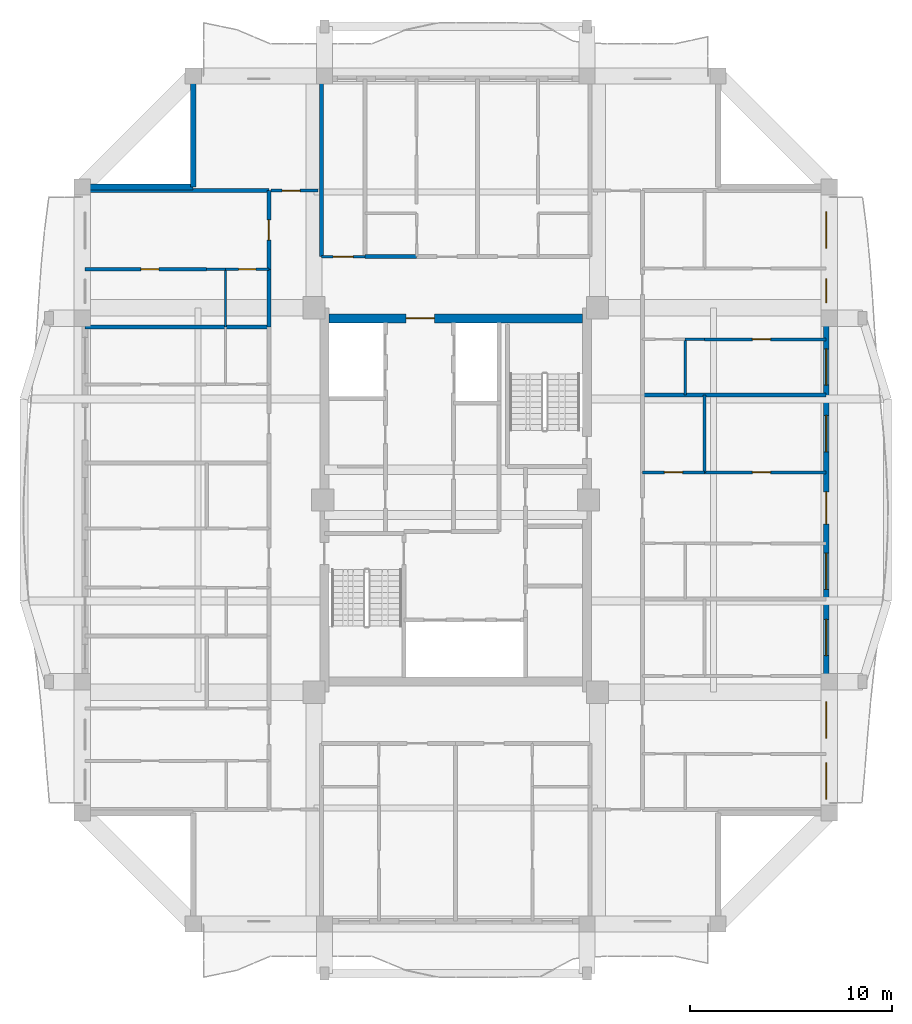
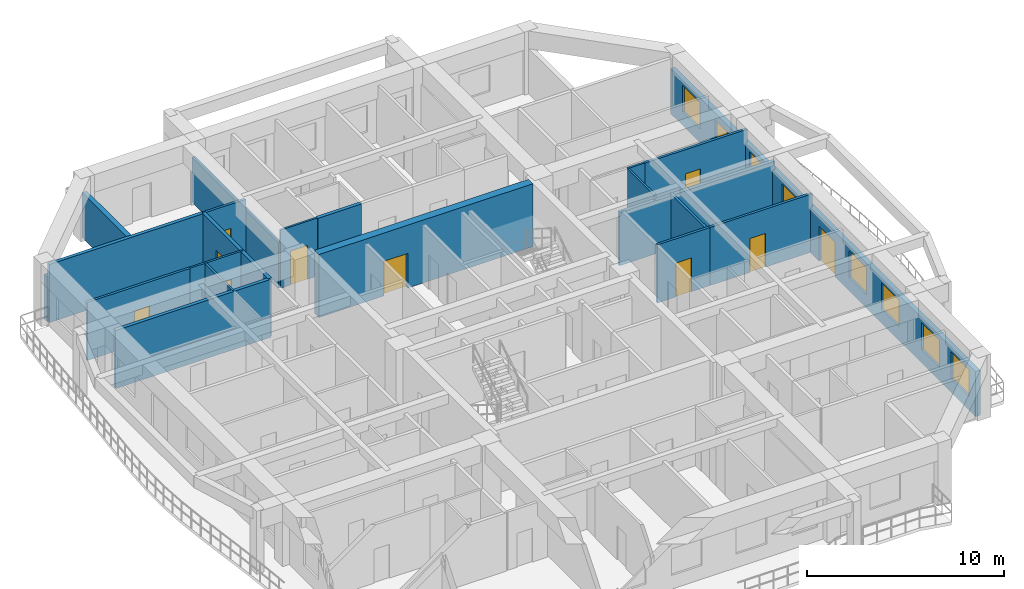
# One storey, part 6 of 14: 23 walls, 10 doors, 8 windows, 18 openings.
"""IFC4 building model written with IfcOpenShell, lengths in metres."""

from ifc_helpers import new_model, si_unit, direction, frame, frame_2d, origin, place, context, subcontext, project, spatial, rectangle, extrude, source, transform, mapped, material, layer, layer_set, type_object, element, fill, save


model = new_model("IFC4")

# Units and contexts
model_context = context("Model", 3, precision=1e-05, world=origin(), true_north=direction((0.0, 1.0)))
body_context = subcontext(model_context, "Body", "Model", "MODEL_VIEW")
ifc_project = project(units=[si_unit("LENGTHUNIT", "METRE"), si_unit("AREAUNIT", "SQUARE_METRE"), si_unit("VOLUMEUNIT", "CUBIC_METRE"), si_unit("PLANEANGLEUNIT", "RADIAN"), si_unit("MASSUNIT", "GRAM", prefix="KILO")], contexts=[model_context])

# Site, building, storey
site_placement = place(None, origin())
site = spatial("IfcSite", under=ifc_project, at=site_placement, CompositionType="ELEMENT")
building_placement = place(site_placement, origin())
building = spatial("IfcBuilding", under=site, at=building_placement, Name="Saelheon Loggia Tower", CompositionType="ELEMENT")
storey_placement = place(building_placement, frame((0.0, 0.0, 202.60009765625)))
storey = spatial("IfcBuildingStorey", under=building, at=storey_placement, Name="L63", CompositionType="ELEMENT", Elevation=202.60009765625)

# Wall, opening, door
ifc_material_1 = material(Name="Concrete C45/55", Category="concrete")
ifc_layer_1 = layer(ifc_material_1, 0.449951171875)
ifc_layer_set_1 = layer_set([ifc_layer_1], Name="Concrete C45/55")
wall_type_1 = type_object("IfcWallType", Name="Wall_CoreShear_450", PredefinedType="SHEAR", material=ifc_layer_set_1)
wall_1_placement = place(storey_placement, frame((31.72509765625, 36.0, 0.0), z_axis=(0.0, 0.0, 1.0), x_axis=(1.0, 0.0, 0.0)))
wall_1 = element("IfcWall", 1, at=wall_1_placement, inside=storey, type_object=wall_type_1, Name="L63 Core Shear Wall North", PredefinedType="SHEAR", context=body_context, shape_type="SweptSolid", body=[
    extrude(rectangle(XDim=12.5498046875, YDim=0.449951171875, at=frame_2d((6.27490234375, 0.0))), origin(), (0.0, 0.0, 1.0), 3.89990234375),
])
opening_1_placement = place(wall_1_placement, frame((5.224853515625, 0.0, 0.0), z_axis=(0.0, 0.0, 1.0), x_axis=(-1.0, 0.0, 0.0)))
opening_1 = element("IfcOpeningElement", 2, at=opening_1_placement, cuts=wall_1, Name="Opening D-FD2L", PredefinedType="OPENING", context=body_context, shape_type="SweptSolid", body=[
    extrude(rectangle(XDim=1.39990234375, YDim=2.14990234375, at=frame_2d((0.699951171875, 1.074951171875))), frame((0.0, 0.237060546875, 0.0), z_axis=(0.0, -1.0, 0.0), x_axis=(1.0, 0.0, 0.0)), (0.0, 0.0, 1.0), 0.473876953125),
])
ifc_material_2 = material(Name="Galvanised Steel Glazed Lobby Fire Door", Category="steel")
door_type_1 = type_object("IfcDoorType", Name="Door_Fire_FD60_1400", OperationType="NOTDEFINED", PredefinedType="DOOR", material=ifc_material_2)
shared_shape_1 = source(origin(), body_context, "Body", "SweptSolid", [
    extrude(rectangle(XDim=1.39990234375, YDim=2.14990234375, at=frame_2d((0.699951171875, 1.074951171875))), frame((0.0, 0.02490234375, 0.0), z_axis=(0.0, -1.0, 0.0), x_axis=(1.0, 0.0, 0.0)), (0.0, 0.0, 1.0), 0.050048828125),
])
door_1_placement = place(opening_1_placement, origin())
door_1 = element("IfcDoor", 3, at=door_1_placement, inside=storey, type_object=door_type_1, Name="L63 Passenger Lift Lobby Main Door", OperationType="SINGLE_SWING_RIGHT", OverallHeight=2.14990234375, OverallWidth=1.39990234375, PredefinedType="DOOR", context=body_context, shape_type="MappedRepresentation", body=[
    mapped(shared_shape_1, transform((0.0, 0.0, 0.0), scale=1.0)),
])
fill(opening_1, door_1)

# Wall, openings, windows, door
ifc_material_3 = material(Name="Architectural Precast Concrete C40/50", Category="concrete")
ifc_layer_2 = layer(ifc_material_3, 0.280029296875)
ifc_layer_set_2 = layer_set([ifc_layer_2], Name="Architectural Precast Concrete C40/50")
wall_type_2 = type_object("IfcWallType", Name="Wall_Ext_Loggia_280", PredefinedType="SOLIDWALL", material=ifc_layer_set_2)
wall_2_placement = place(storey_placement, frame((56.360107421875, 11.5, 0.0), z_axis=(0.0, 0.0, 1.0), x_axis=(0.0, 1.0, 0.0)))
wall_2 = element("IfcWall", 4, at=wall_2_placement, inside=storey, type_object=wall_type_2, Name="L63 East Loggia Inner Wall", PredefinedType="SOLIDWALL", context=body_context, shape_type="SweptSolid", body=[
    extrude(rectangle(XDim=31.0, YDim=0.280029296875, at=frame_2d((15.5, 0.0))), origin(), (0.0, 0.0, 1.0), 2.789794921875),
])
opening_2_placement = place(wall_2_placement, frame((0.68505859375, 0.0, 0.85009765625)))
opening_2 = element("IfcOpeningElement", 5, at=opening_2_placement, cuts=wall_2, Name="Opening WN-01", PredefinedType="OPENING", context=body_context, shape_type="SweptSolid", body=[
    extrude(rectangle(XDim=1.800048828125, YDim=1.64990234375, at=frame_2d((0.89990234375, 0.824951171875))), frame((0.0, 0.152099609375, 0.0), z_axis=(0.0, -1.0, 0.0), x_axis=(1.0, 0.0, 0.0)), (0.0, 0.0, 1.0), 0.303955078125),
])
opening_3_placement = place(wall_2_placement, frame((3.695068359375, 0.0, 0.85009765625)))
opening_3 = element("IfcOpeningElement", 6, at=opening_3_placement, cuts=wall_2, Name="Opening WN-01", PredefinedType="OPENING", context=body_context, shape_type="SweptSolid", body=[
    extrude(rectangle(XDim=1.800048828125, YDim=1.64990234375, at=frame_2d((0.89990234375, 0.824951171875))), frame((0.0, 0.152099609375, 0.0), z_axis=(0.0, -1.0, 0.0), x_axis=(1.0, 0.0, 0.0)), (0.0, 0.0, 1.0), 0.303955078125),
])
opening_4_placement = place(wall_2_placement, frame((7.788818359375, 0.0, 0.85009765625)))
opening_4 = element("IfcOpeningElement", 7, at=opening_4_placement, cuts=wall_2, Name="Opening WN-01", PredefinedType="OPENING", context=body_context, shape_type="SweptSolid", body=[
    extrude(rectangle(XDim=1.800048828125, YDim=1.64990234375, at=frame_2d((0.89990234375, 0.824951171875))), frame((0.0, 0.152099609375, 0.0), z_axis=(0.0, -1.0, 0.0), x_axis=(1.0, 0.0, 0.0)), (0.0, 0.0, 1.0), 0.303955078125),
])
opening_5_placement = place(wall_2_placement, frame((11.072509765625, 0.0, 0.85009765625)))
opening_5 = element("IfcOpeningElement", 8, at=opening_5_placement, cuts=wall_2, Name="Opening WN-01", PredefinedType="OPENING", context=body_context, shape_type="SweptSolid", body=[
    extrude(rectangle(XDim=1.800048828125, YDim=1.64990234375, at=frame_2d((0.89990234375, 0.824951171875))), frame((0.0, 0.152099609375, 0.0), z_axis=(0.0, -1.0, 0.0), x_axis=(1.0, 0.0, 0.0)), (0.0, 0.0, 1.0), 0.303955078125),
])
opening_6_placement = place(wall_2_placement, frame((15.906982421875, 0.0, 0.0), z_axis=(0.0, 0.0, 1.0), x_axis=(-1.0, 0.0, 0.0)))
opening_6 = element("IfcOpeningElement", 9, at=opening_6_placement, cuts=wall_2, Name="Opening DLG-1", PredefinedType="OPENING", context=body_context, shape_type="SweptSolid", body=[
    extrude(rectangle(XDim=1.60009765625, YDim=2.14990234375, at=frame_2d((0.800048828125, 1.074951171875))), frame((0.0, 0.152099609375, 0.0), z_axis=(0.0, -1.0, 0.0), x_axis=(1.0, 0.0, 0.0)), (0.0, 0.0, 1.0), 0.303955078125),
])
opening_7_placement = place(wall_2_placement, frame((17.8876953125, 0.0, 0.85009765625)))
opening_7 = element("IfcOpeningElement", 10, at=opening_7_placement, cuts=wall_2, Name="Opening WN-01", PredefinedType="OPENING", context=body_context, shape_type="SweptSolid", body=[
    extrude(rectangle(XDim=1.800048828125, YDim=1.64990234375, at=frame_2d((0.89990234375, 0.824951171875))), frame((0.0, 0.152099609375, 0.0), z_axis=(0.0, -1.0, 0.0), x_axis=(1.0, 0.0, 0.0)), (0.0, 0.0, 1.0), 0.303955078125),
])
opening_8_placement = place(wall_2_placement, frame((21.183837890625, 0.0, 0.85009765625)))
opening_8 = element("IfcOpeningElement", 11, at=opening_8_placement, cuts=wall_2, Name="Opening WN-01", PredefinedType="OPENING", context=body_context, shape_type="SweptSolid", body=[
    extrude(rectangle(XDim=1.800048828125, YDim=1.64990234375, at=frame_2d((0.89990234375, 0.824951171875))), frame((0.0, 0.152099609375, 0.0), z_axis=(0.0, -1.0, 0.0), x_axis=(1.0, 0.0, 0.0)), (0.0, 0.0, 1.0), 0.303955078125),
])
opening_9_placement = place(wall_2_placement, frame((25.2587890625, 0.0, 0.85009765625)))
opening_9 = element("IfcOpeningElement", 12, at=opening_9_placement, cuts=wall_2, Name="Opening WN-03", PredefinedType="OPENING", context=body_context, shape_type="SweptSolid", body=[
    extrude(rectangle(XDim=1.199951171875, YDim=1.5, at=frame_2d((0.60009765625, 0.75))), frame((0.0, 0.152099609375, 0.0), z_axis=(0.0, -1.0, 0.0), x_axis=(1.0, 0.0, 0.0)), (0.0, 0.0, 1.0), 0.303955078125),
])
opening_10_placement = place(wall_2_placement, frame((27.968994140625, 0.0, 0.85009765625)))
opening_10 = element("IfcOpeningElement", 13, at=opening_10_placement, cuts=wall_2, Name="Opening WN-01", PredefinedType="OPENING", context=body_context, shape_type="SweptSolid", body=[
    extrude(rectangle(XDim=1.800048828125, YDim=1.64990234375, at=frame_2d((0.89990234375, 0.824951171875))), frame((0.0, 0.152099609375, 0.0), z_axis=(0.0, -1.0, 0.0), x_axis=(1.0, 0.0, 0.0)), (0.0, 0.0, 1.0), 0.303955078125),
])
ifc_material_4 = material(Name="Thermal-Break Aluminium and Triple Low-E Glass", Category="aluminium")
window_type_1 = type_object("IfcWindowType", Name="Win_Dwelling_1800x1650", PartitioningType="SINGLE_PANEL", PredefinedType="WINDOW", material=ifc_material_4)
shared_shape_2 = source(origin(), body_context, "Body", "SweptSolid", [
    extrude(rectangle(XDim=1.800048828125, YDim=1.64990234375, at=frame_2d((0.89990234375, 0.824951171875))), frame((0.0, 0.030029296875, 0.0), z_axis=(0.0, -1.0, 0.0), x_axis=(1.0, 0.0, 0.0)), (0.0, 0.0, 1.0), 0.06005859375),
])
window_1_placement = place(opening_2_placement, origin())
window_1 = element("IfcWindow", 14, at=window_1_placement, inside=storey, type_object=window_type_1, Name="L63 E Dwelling Window 1", OverallHeight=1.64990234375, OverallWidth=1.800048828125, PartitioningType="SINGLE_PANEL", PredefinedType="WINDOW", context=body_context, shape_type="MappedRepresentation", body=[
    mapped(shared_shape_2, transform((0.0, 0.0, 0.0), scale=1.0)),
])
fill(opening_2, window_1)
window_2_placement = place(opening_3_placement, origin())
window_2 = element("IfcWindow", 15, at=window_2_placement, inside=storey, type_object=window_type_1, Name="L63 E Dwelling Window 2", OverallHeight=1.64990234375, OverallWidth=1.800048828125, PartitioningType="SINGLE_PANEL", PredefinedType="WINDOW", context=body_context, shape_type="MappedRepresentation", body=[
    mapped(shared_shape_2, transform((0.0, 0.0, 0.0), scale=1.0)),
])
fill(opening_3, window_2)
window_3_placement = place(opening_4_placement, origin())
window_3 = element("IfcWindow", 16, at=window_3_placement, inside=storey, type_object=window_type_1, Name="L63 E Dwelling Window 3", OverallHeight=1.64990234375, OverallWidth=1.800048828125, PartitioningType="SINGLE_PANEL", PredefinedType="WINDOW", context=body_context, shape_type="MappedRepresentation", body=[
    mapped(shared_shape_2, transform((0.0, 0.0, 0.0), scale=1.0)),
])
fill(opening_4, window_3)
window_4_placement = place(opening_5_placement, origin())
window_4 = element("IfcWindow", 17, at=window_4_placement, inside=storey, type_object=window_type_1, Name="L63 E Dwelling Window 4", OverallHeight=1.64990234375, OverallWidth=1.800048828125, PartitioningType="SINGLE_PANEL", PredefinedType="WINDOW", context=body_context, shape_type="MappedRepresentation", body=[
    mapped(shared_shape_2, transform((0.0, 0.0, 0.0), scale=1.0)),
])
fill(opening_5, window_4)
window_5_placement = place(opening_7_placement, origin())
window_5 = element("IfcWindow", 18, at=window_5_placement, inside=storey, type_object=window_type_1, Name="L63 E Dwelling Window 6", OverallHeight=1.64990234375, OverallWidth=1.800048828125, PartitioningType="SINGLE_PANEL", PredefinedType="WINDOW", context=body_context, shape_type="MappedRepresentation", body=[
    mapped(shared_shape_2, transform((0.0, 0.0, 0.0), scale=1.0)),
])
fill(opening_7, window_5)
window_6_placement = place(opening_8_placement, origin())
window_6 = element("IfcWindow", 19, at=window_6_placement, inside=storey, type_object=window_type_1, Name="L63 E Dwelling Window 7", OverallHeight=1.64990234375, OverallWidth=1.800048828125, PartitioningType="SINGLE_PANEL", PredefinedType="WINDOW", context=body_context, shape_type="MappedRepresentation", body=[
    mapped(shared_shape_2, transform((0.0, 0.0, 0.0), scale=1.0)),
])
fill(opening_8, window_6)
window_7_placement = place(opening_10_placement, origin())
window_7 = element("IfcWindow", 20, at=window_7_placement, inside=storey, type_object=window_type_1, Name="L63 E Dwelling Window 9", OverallHeight=1.64990234375, OverallWidth=1.800048828125, PartitioningType="SINGLE_PANEL", PredefinedType="WINDOW", context=body_context, shape_type="MappedRepresentation", body=[
    mapped(shared_shape_2, transform((0.0, 0.0, 0.0), scale=1.0)),
])
fill(opening_10, window_7)
window_type_2 = type_object("IfcWindowType", Name="Win_Bedroom_1200x1500", PartitioningType="SINGLE_PANEL", PredefinedType="WINDOW", material=ifc_material_4)
shared_shape_3 = source(origin(), body_context, "Body", "SweptSolid", [
    extrude(rectangle(XDim=1.199951171875, YDim=1.5, at=frame_2d((0.60009765625, 0.75))), frame((0.0, 0.030029296875, 0.0), z_axis=(0.0, -1.0, 0.0), x_axis=(1.0, 0.0, 0.0)), (0.0, 0.0, 1.0), 0.06005859375),
])
window_8_placement = place(opening_9_placement, origin())
window_8 = element("IfcWindow", 21, at=window_8_placement, inside=storey, type_object=window_type_2, Name="L63 E Dwelling Window 8", OverallHeight=1.5, OverallWidth=1.199951171875, PartitioningType="SINGLE_PANEL", PredefinedType="WINDOW", context=body_context, shape_type="MappedRepresentation", body=[
    mapped(shared_shape_3, transform((0.0, 0.0, 0.0), scale=1.0)),
])
fill(opening_9, window_8)
ifc_material_5 = material(Name="Thermal-Break Aluminium Sliding Glazed Door", Category="aluminium")
door_type_2 = type_object("IfcDoorType", Name="Door_LoggiaSlide_1600", OperationType="SLIDING_TO_LEFT", PredefinedType="DOOR", material=ifc_material_5)
shared_shape_4 = source(origin(), body_context, "Body", "SweptSolid", [
    extrude(rectangle(XDim=1.60009765625, YDim=2.14990234375, at=frame_2d((0.800048828125, 1.074951171875))), frame((0.0, 0.02490234375, 0.0), z_axis=(0.0, -1.0, 0.0), x_axis=(1.0, 0.0, 0.0)), (0.0, 0.0, 1.0), 0.050048828125),
])
door_2_placement = place(opening_6_placement, origin())
door_2 = element("IfcDoor", 22, at=door_2_placement, inside=storey, type_object=door_type_2, Name="L63 E Loggia Access Door", OperationType="SLIDING_TO_LEFT", OverallHeight=2.14990234375, OverallWidth=1.60009765625, PredefinedType="DOOR", context=body_context, shape_type="MappedRepresentation", body=[
    mapped(shared_shape_4, transform((0.0, 0.0, 0.0), scale=1.0)),
])
fill(opening_6, door_2)

# Walls
for number, where, z_axis, x_axis, name in (
    (23, (25.0, 42.5, 0.0), (0.0, 0.0, 1.0), (0.0, 1.0, 0.0), "L63 Corner Notch Precast Wall NW1"),
    (24, (19.580078125, 42.5, 0.0), (0.0, 0.0, 1.0), (1.0, 0.0, 0.0), "L63 Corner Notch Precast Wall NW2"),
):
    element("IfcWall", number, at=place(storey_placement, frame(where, z_axis=z_axis, x_axis=x_axis)), inside=storey, type_object=wall_type_2, Name=name, PredefinedType="SOLIDWALL", context=body_context, shape_type="SweptSolid", body=[
        extrude(rectangle(XDim=5.419921875, YDim=0.280029296875, at=frame_2d((2.7099609375, 0.0))), origin(), (0.0, 0.0, 1.0), 2.789794921875),
    ])

# Wall, opening, door
ifc_material_6 = material(Name="Lightweight Autoclaved Aerated Concrete Block and Acoustic Gypsum", Category="concrete")
ifc_layer_3 = layer(ifc_material_6, 0.14990234375)
ifc_layer_set_3 = layer_set([ifc_layer_3], Name="Lightweight Autoclaved Aerated Concrete Block and Acoustic Gypsum")
wall_type_3 = type_object("IfcWallType", Name="Wall_Part_150", PredefinedType="PARTITIONING", material=ifc_layer_set_3)
wall_3_placement = place(storey_placement, frame((28.85009765625, 42.320068359375, 0.0), z_axis=(0.0, 0.0, 1.0), x_axis=(1.0, 0.0, 0.0)))
wall_3 = element("IfcWall", 25, at=wall_3_placement, inside=storey, type_object=wall_type_3, Name="PW-L63-CNW-H", PredefinedType="PARTITIONING", context=body_context, shape_type="SweptSolid", body=[
    extrude(rectangle(XDim=2.329833984375, YDim=0.14990234375, at=frame_2d((1.1650390625, 0.0))), origin(), (0.0, 0.0, 1.0), 3.599853515625),
])
opening_11_placement = place(wall_3_placement, frame((0.550048828125, 0.0, 0.0)))
opening_11 = element("IfcOpeningElement", 26, at=opening_11_placement, cuts=wall_3, Name="Opening D-IN2", PredefinedType="OPENING", context=body_context, shape_type="SweptSolid", body=[
    extrude(rectangle(XDim=0.89990234375, YDim=2.10009765625, at=frame_2d((0.449951171875, 1.050048828125))), frame((0.0, 0.0869140625, 0.0), z_axis=(0.0, -1.0, 0.0), x_axis=(1.0, 0.0, 0.0)), (0.0, 0.0, 1.0), 0.173828125),
])
ifc_material_7 = material(Name="Engineered Oak Flush Door", Category="timber")
door_type_3 = type_object("IfcDoorType", Name="Door_Int_900", OperationType="NOTDEFINED", PredefinedType="DOOR", material=ifc_material_7)
shared_shape_5 = source(origin(), body_context, "Body", "SweptSolid", [
    extrude(rectangle(XDim=0.89990234375, YDim=2.10009765625, at=frame_2d((0.449951171875, 1.050048828125))), frame((0.0, 0.02490234375, 0.0), z_axis=(0.0, -1.0, 0.0), x_axis=(1.0, 0.0, 0.0)), (0.0, 0.0, 1.0), 0.050048828125),
])
door_3_placement = place(opening_11_placement, origin())
door_3 = element("IfcDoor", 27, at=door_3_placement, inside=storey, type_object=door_type_3, Name="L63 Corner Home Office NW Door", OperationType="SINGLE_SWING_LEFT", OverallHeight=2.10009765625, OverallWidth=0.89990234375, PredefinedType="DOOR", context=body_context, shape_type="MappedRepresentation", body=[
    mapped(shared_shape_5, transform((0.0, 0.0, 0.0), scale=1.0)),
])
fill(opening_11, door_3)

wall_4_placement = place(storey_placement, frame((25.669921875, 38.42919921875, 0.0), z_axis=(0.0, 0.0, 1.0), x_axis=(-1.0, 0.0, 0.0)))
wall_4 = element("IfcWall", 28, at=wall_4_placement, inside=storey, type_object=wall_type_3, Name="L63 W Partition U37", PredefinedType="PARTITIONING", context=body_context, shape_type="SweptSolid", body=[
    extrude(rectangle(XDim=6.02001953125, YDim=0.14990234375, at=frame_2d((3.010009765625, 0.0))), origin(), (0.0, 0.0, 1.0), 3.599853515625),
])
opening_12_placement = place(wall_4_placement, frame((2.36669921875, 0.0, 0.0)))
opening_12 = element("IfcOpeningElement", 29, at=opening_12_placement, cuts=wall_4, Name="Opening D-IN2", PredefinedType="OPENING", context=body_context, shape_type="SweptSolid", body=[
    extrude(rectangle(XDim=0.89990234375, YDim=2.10009765625, at=frame_2d((0.449951171875, 1.050048828125))), frame((0.0, 0.0869140625, 0.0), z_axis=(0.0, -1.0, 0.0), x_axis=(1.0, 0.0, 0.0)), (0.0, 0.0, 1.0), 0.173828125),
])
door_4_placement = place(opening_12_placement, origin())
door_4 = element("IfcDoor", 30, at=door_4_placement, inside=storey, type_object=door_type_3, Name="Unit U08 Kitchen Door", OperationType="SINGLE_SWING_RIGHT", OverallHeight=2.10009765625, OverallWidth=0.89990234375, PredefinedType="DOOR", context=body_context, shape_type="MappedRepresentation", body=[
    mapped(shared_shape_5, transform((0.0, 0.0, 0.0), scale=1.0)),
])
fill(opening_12, door_4)

# Wall
wall_5_placement = place(storey_placement, frame((50.330078125, 28.366455078125, 0.0), z_axis=(0.0, 0.0, 1.0), x_axis=(0.0, 1.0, 0.0)))
element("IfcWall", 31, at=wall_5_placement, inside=storey, type_object=wall_type_3, Name="L63 E Partition V18", PredefinedType="PARTITIONING", context=body_context, shape_type="SweptSolid", body=[
    extrude(rectangle(XDim=3.84228515625, YDim=0.14990234375, at=frame_2d((1.921142578125, 0.0))), origin(), (0.0, 0.0, 1.0), 3.389892578125),
])

# Wall, opening, door
wall_6_placement = place(storey_placement, frame((47.25, 28.366455078125, 0.0), z_axis=(0.0, 0.0, 1.0), x_axis=(1.0, 0.0, 0.0)))
wall_6 = element("IfcWall", 32, at=wall_6_placement, inside=storey, type_object=wall_type_3, Name="L63 E Partition U22", PredefinedType="PARTITIONING", context=body_context, shape_type="SweptSolid", body=[
    extrude(rectangle(XDim=3.080078125, YDim=0.14990234375, at=frame_2d((1.5400390625, 0.0))), origin(), (0.0, 0.0, 1.0), 3.599853515625),
])
opening_13_placement = place(wall_6_placement, frame((1.090087890625, 0.0, 0.0)))
opening_13 = element("IfcOpeningElement", 33, at=opening_13_placement, cuts=wall_6, Name="Opening D-IN2", PredefinedType="OPENING", context=body_context, shape_type="SweptSolid", body=[
    extrude(rectangle(XDim=0.89990234375, YDim=2.10009765625, at=frame_2d((0.449951171875, 1.050048828125))), frame((0.0, 0.0869140625, 0.0), z_axis=(0.0, -1.0, 0.0), x_axis=(1.0, 0.0, 0.0)), (0.0, 0.0, 1.0), 0.173828125),
])
door_5_placement = place(opening_13_placement, origin())
door_5 = element("IfcDoor", 34, at=door_5_placement, inside=storey, type_object=door_type_3, Name="Unit U10 Home Office Door", OperationType="SINGLE_SWING_LEFT", OverallHeight=2.10009765625, OverallWidth=0.89990234375, PredefinedType="DOOR", context=body_context, shape_type="MappedRepresentation", body=[
    mapped(shared_shape_5, transform((0.0, 0.0, 0.0), scale=1.0)),
])
fill(opening_13, door_5)

wall_7_placement = place(storey_placement, frame((50.330078125, 28.366455078125, 0.0), z_axis=(0.0, 0.0, 1.0), x_axis=(1.0, 0.0, 0.0)))
wall_7 = element("IfcWall", 35, at=wall_7_placement, inside=storey, type_object=wall_type_3, Name="L63 E Partition U23", PredefinedType="PARTITIONING", context=body_context, shape_type="SweptSolid", body=[
    extrude(rectangle(XDim=6.02001953125, YDim=0.14990234375, at=frame_2d((3.010009765625, 0.0))), origin(), (0.0, 0.0, 1.0), 3.599853515625),
])
opening_14_placement = place(wall_7_placement, frame((2.36669921875, 0.0, 0.0)))
opening_14 = element("IfcOpeningElement", 36, at=opening_14_placement, cuts=wall_7, Name="Opening D-IN2", PredefinedType="OPENING", context=body_context, shape_type="SweptSolid", body=[
    extrude(rectangle(XDim=0.89990234375, YDim=2.10009765625, at=frame_2d((0.449951171875, 1.050048828125))), frame((0.0, 0.0869140625, 0.0), z_axis=(0.0, -1.0, 0.0), x_axis=(1.0, 0.0, 0.0)), (0.0, 0.0, 1.0), 0.173828125),
])
door_6_placement = place(opening_14_placement, origin())
door_6 = element("IfcDoor", 37, at=door_6_placement, inside=storey, type_object=door_type_3, Name="Unit U10 Bedroom 1 Door", OperationType="SINGLE_SWING_RIGHT", OverallHeight=2.10009765625, OverallWidth=0.89990234375, PredefinedType="DOOR", context=body_context, shape_type="MappedRepresentation", body=[
    mapped(shared_shape_5, transform((0.0, 0.0, 0.0), scale=1.0)),
])
fill(opening_14, door_6)

wall_8_placement = place(storey_placement, frame((50.330078125, 34.958740234375, 0.0), z_axis=(0.0, 0.0, 1.0), x_axis=(1.0, 0.0, 0.0)))
wall_8 = element("IfcWall", 38, at=wall_8_placement, inside=storey, type_object=wall_type_3, Name="L63 E Partition U32", PredefinedType="PARTITIONING", context=body_context, shape_type="SweptSolid", body=[
    extrude(rectangle(XDim=6.02001953125, YDim=0.14990234375, at=frame_2d((3.010009765625, 0.0))), origin(), (0.0, 0.0, 1.0), 3.599853515625),
])
opening_15_placement = place(wall_8_placement, frame((2.36669921875, 0.0, 0.0)))
opening_15 = element("IfcOpeningElement", 39, at=opening_15_placement, cuts=wall_8, Name="Opening D-IN2", PredefinedType="OPENING", context=body_context, shape_type="SweptSolid", body=[
    extrude(rectangle(XDim=0.89990234375, YDim=2.10009765625, at=frame_2d((0.449951171875, 1.050048828125))), frame((0.0, 0.0869140625, 0.0), z_axis=(0.0, -1.0, 0.0), x_axis=(1.0, 0.0, 0.0)), (0.0, 0.0, 1.0), 0.173828125),
])
door_7_placement = place(opening_15_placement, origin())
door_7 = element("IfcDoor", 40, at=door_7_placement, inside=storey, type_object=door_type_3, Name="Unit U11 Kitchen Door", OperationType="SINGLE_SWING_LEFT", OverallHeight=2.10009765625, OverallWidth=0.89990234375, PredefinedType="DOOR", context=body_context, shape_type="MappedRepresentation", body=[
    mapped(shared_shape_5, transform((0.0, 0.0, 0.0), scale=1.0)),
])
fill(opening_15, door_7)

# Walls
ifc_material_8 = material(Name="Double Acoustic Stud and Fireboard Partition", Category="gypsum")
ifc_layer_4 = layer(ifc_material_8, 0.199951171875)
ifc_layer_set_4 = layer_set([ifc_layer_4], Name="Double Acoustic Stud and Fireboard Partition")
wall_type_4 = type_object("IfcWallType", Name="Wall_Party_200", PredefinedType="PARTITIONING", material=ifc_layer_set_4)
wall_9_placement = place(storey_placement, frame((31.35009765625, 39.050048828125, 0.0), z_axis=(0.0, 0.0, 1.0), x_axis=(0.0, 1.0, 0.0)))
element("IfcWall", 41, at=wall_9_placement, inside=storey, type_object=wall_type_4, Name="L63 N Partition U01", PredefinedType="PARTITIONING", context=body_context, shape_type="SweptSolid", body=[
    extrude(rectangle(XDim=8.800048828125, YDim=0.199951171875, at=frame_2d((4.39990234375, 0.0))), origin(), (0.0, 0.0, 1.0), 2.789794921875),
])
wall_10_placement = place(storey_placement, frame((33.5, 39.050048828125, 0.0), z_axis=(0.0, 0.0, 1.0), x_axis=(1.0, 0.0, 0.0)))
element("IfcWall", 42, at=wall_10_placement, inside=storey, type_object=wall_type_4, Name="L63 N Partition V05", PredefinedType="PARTITIONING", context=body_context, shape_type="SweptSolid", body=[
    extrude(rectangle(XDim=2.564453125, YDim=0.199951171875, at=frame_2d((1.2822265625, 0.0))), origin(), (0.0, 0.0, 1.0), 3.599853515625),
])
for number, where, z_axis, x_axis, name in (
    (43, (28.75, 42.320068359375, 0.0), (0.0, 0.0, 1.0), (-1.0, 0.0, 0.0), "L63 W Partition U02"),
    (44, (28.75, 35.5791015625, 0.0), (0.0, 0.0, 1.0), (-1.0, 0.0, 0.0), "L63 W Partition U31"),
):
    element("IfcWall", number, at=place(storey_placement, frame(where, z_axis=z_axis, x_axis=x_axis)), inside=storey, type_object=wall_type_4, Name=name, PredefinedType="PARTITIONING", context=body_context, shape_type="SweptSolid", body=[
        extrude(rectangle(XDim=9.10009765625, YDim=0.199951171875, at=frame_2d((4.550048828125, 0.0))), origin(), (0.0, 0.0, 1.0), 3.599853515625),
    ])
wall_11_placement = place(storey_placement, frame((28.75, 35.5791015625, 0.0), z_axis=(0.0, 0.0, 1.0), x_axis=(0.0, 1.0, 0.0)))
element("IfcWall", 45, at=wall_11_placement, inside=storey, type_object=wall_type_4, Name="L63 W Partition V32", PredefinedType="PARTITIONING", context=body_context, shape_type="SweptSolid", body=[
    extrude(rectangle(XDim=2.85009765625, YDim=0.199951171875, at=frame_2d((1.425048828125, 0.0))), origin(), (0.0, 0.0, 1.0), 3.599853515625),
])

# Wall, opening, door
wall_12_placement = place(storey_placement, frame((28.75, 38.42919921875, 0.0), z_axis=(0.0, 0.0, 1.0), x_axis=(0.0, 1.0, 0.0)))
wall_12 = element("IfcWall", 46, at=wall_12_placement, inside=storey, type_object=wall_type_4, Name="L63 W Partition V33", PredefinedType="PARTITIONING", context=body_context, shape_type="SweptSolid", body=[
    extrude(rectangle(XDim=3.890869140625, YDim=0.199951171875, at=frame_2d((1.9453125, 0.0))), origin(), (0.0, 0.0, 1.0), 3.599853515625),
])
opening_16_placement = place(wall_12_placement, frame((1.4453125, 0.0, 0.0)))
opening_16 = element("IfcOpeningElement", 47, at=opening_16_placement, cuts=wall_12, Name="Opening D-FD1", PredefinedType="OPENING", context=body_context, shape_type="SweptSolid", body=[
    extrude(rectangle(XDim=1.0, YDim=2.14990234375, at=frame_2d((0.5, 1.074951171875))), frame((0.0, 0.112060546875, 0.0), z_axis=(0.0, -1.0, 0.0), x_axis=(1.0, 0.0, 0.0)), (0.0, 0.0, 1.0), 0.223876953125),
])
ifc_material_9 = material(Name="Fire-Rated Engineered Timber Entrance Door", Category="wood")
door_type_4 = type_object("IfcDoorType", Name="Door_Flat_FD30S", OperationType="NOTDEFINED", PredefinedType="DOOR", material=ifc_material_9)
shared_shape_6 = source(origin(), body_context, "Body", "SweptSolid", [
    extrude(rectangle(XDim=1.0, YDim=2.14990234375, at=frame_2d((0.5, 1.074951171875))), frame((0.0, 0.02490234375, 0.0), z_axis=(0.0, -1.0, 0.0), x_axis=(1.0, 0.0, 0.0)), (0.0, 0.0, 1.0), 0.050048828125),
])
door_8_placement = place(opening_16_placement, origin())
door_8 = element("IfcDoor", 48, at=door_8_placement, inside=storey, type_object=door_type_4, Name="Unit U08 Entrance Door", OperationType="SINGLE_SWING_RIGHT", OverallHeight=2.14990234375, OverallWidth=1.0, PredefinedType="DOOR", context=body_context, shape_type="MappedRepresentation", body=[
    mapped(shared_shape_6, transform((0.0, 0.0, 0.0), scale=1.0)),
])
fill(opening_16, door_8)

# Wall
wall_13_placement = place(storey_placement, frame((47.25, 32.208740234375, 0.0), z_axis=(0.0, 0.0, 1.0), x_axis=(1.0, 0.0, 0.0)))
element("IfcWall", 49, at=wall_13_placement, inside=storey, type_object=wall_type_4, Name="L63 E Partition U24", PredefinedType="PARTITIONING", context=body_context, shape_type="SweptSolid", body=[
    extrude(rectangle(XDim=9.10009765625, YDim=0.199951171875, at=frame_2d((4.550048828125, 0.0))), origin(), (0.0, 0.0, 1.0), 3.289794921875),
])

# Wall, opening, door
ifc_material_10 = material(Name="Moisture-Resistant Cement Board Partition", Category="gypsum")
ifc_layer_5 = layer(ifc_material_10, 0.1201171875)
ifc_layer_set_5 = layer_set([ifc_layer_5], Name="Moisture-Resistant Cement Board Partition")
wall_type_5 = type_object("IfcWallType", Name="Wall_WetPart_120", PredefinedType="PARTITIONING", material=ifc_layer_set_5)
wall_14_placement = place(storey_placement, frame((31.35009765625, 39.050048828125, 0.0), z_axis=(0.0, 0.0, 1.0), x_axis=(1.0, 0.0, 0.0)))
wall_14 = element("IfcWall", 50, at=wall_14_placement, inside=storey, type_object=wall_type_5, Name="L63 N Partition V04", PredefinedType="PARTITIONING", context=body_context, shape_type="SweptSolid", body=[
    extrude(rectangle(XDim=2.14990234375, YDim=0.1201171875, at=frame_2d((1.074951171875, 0.0))), origin(), (0.0, 0.0, 1.0), 3.599853515625),
])
opening_17_placement = place(wall_14_placement, frame((0.574951171875, 0.0, 0.0)))
opening_17 = element("IfcOpeningElement", 51, at=opening_17_placement, cuts=wall_14, Name="Opening D-AC1", PredefinedType="OPENING", context=body_context, shape_type="SweptSolid", body=[
    extrude(rectangle(XDim=1.0, YDim=2.10009765625, at=frame_2d((0.5, 1.050048828125))), frame((0.0, 0.072021484375, 0.0), z_axis=(0.0, -1.0, 0.0), x_axis=(1.0, 0.0, 0.0)), (0.0, 0.0, 1.0), 0.14404296875),
])
ifc_material_11 = material(Name="Accessible Laminate Flush Door", Category="timber")
door_type_5 = type_object("IfcDoorType", Name="Door_Acc_1000", OperationType="NOTDEFINED", PredefinedType="DOOR", material=ifc_material_11)
shared_shape_7 = source(origin(), body_context, "Body", "SweptSolid", [
    extrude(rectangle(XDim=1.0, YDim=2.10009765625, at=frame_2d((0.5, 1.050048828125))), frame((0.0, 0.02490234375, 0.0), z_axis=(0.0, -1.0, 0.0), x_axis=(1.0, 0.0, 0.0)), (0.0, 0.0, 1.0), 0.050048828125),
])
door_9_placement = place(opening_17_placement, origin())
door_9 = element("IfcDoor", 52, at=door_9_placement, inside=storey, type_object=door_type_5, Name="L63 Floor Accessible WC Door", OperationType="SINGLE_SWING_RIGHT", OverallHeight=2.10009765625, OverallWidth=1.0, PredefinedType="DOOR", context=body_context, shape_type="MappedRepresentation", body=[
    mapped(shared_shape_7, transform((0.0, 0.0, 0.0), scale=1.0)),
])
fill(opening_17, door_9)

wall_15_placement = place(storey_placement, frame((28.75, 38.42919921875, 0.0), z_axis=(0.0, 0.0, 1.0), x_axis=(-1.0, 0.0, 0.0)))
wall_15 = element("IfcWall", 53, at=wall_15_placement, inside=storey, type_object=wall_type_5, Name="L63 W Partition U34", PredefinedType="PARTITIONING", context=body_context, shape_type="SweptSolid", body=[
    extrude(rectangle(XDim=2.14990234375, YDim=0.1201171875, at=frame_2d((1.074951171875, 0.0))), origin(), (0.0, 0.0, 1.0), 3.599853515625),
])
opening_18_placement = place(wall_15_placement, frame((0.64990234375, 0.0, 0.0)))
opening_18 = element("IfcOpeningElement", 54, at=opening_18_placement, cuts=wall_15, Name="Opening D-BT1", PredefinedType="OPENING", context=body_context, shape_type="SweptSolid", body=[
    extrude(rectangle(XDim=0.85009765625, YDim=2.050048828125, at=frame_2d((0.425048828125, 1.02490234375))), frame((0.0, 0.072021484375, 0.0), z_axis=(0.0, -1.0, 0.0), x_axis=(1.0, 0.0, 0.0)), (0.0, 0.0, 1.0), 0.14404296875),
])
ifc_material_12 = material(Name="Moisture-Resistant Laminate Timber Door", Category="wood")
door_type_6 = type_object("IfcDoorType", Name="Door_Bath_850", OperationType="NOTDEFINED", PredefinedType="DOOR", material=ifc_material_12)
shared_shape_8 = source(origin(), body_context, "Body", "SweptSolid", [
    extrude(rectangle(XDim=0.85009765625, YDim=2.050048828125, at=frame_2d((0.425048828125, 1.02490234375))), frame((0.0, 0.02490234375, 0.0), z_axis=(0.0, -1.0, 0.0), x_axis=(1.0, 0.0, 0.0)), (0.0, 0.0, 1.0), 0.050048828125),
])
door_10_placement = place(opening_18_placement, origin())
door_10 = element("IfcDoor", 55, at=door_10_placement, inside=storey, type_object=door_type_6, Name="Unit U08 Bathroom Door", OperationType="SINGLE_SWING_LEFT", OverallHeight=2.050048828125, OverallWidth=0.85009765625, PredefinedType="DOOR", context=body_context, shape_type="MappedRepresentation", body=[
    mapped(shared_shape_8, transform((0.0, 0.0, 0.0), scale=1.0)),
])
fill(opening_18, door_10)

# Walls
wall_16_placement = place(storey_placement, frame((26.60009765625, 38.42919921875, 0.0), z_axis=(0.0, 0.0, 1.0), x_axis=(-1.0, 0.0, 0.0)))
element("IfcWall", 56, at=wall_16_placement, inside=storey, type_object=wall_type_5, Name="L63 W Partition U35", PredefinedType="PARTITIONING", context=body_context, shape_type="SweptSolid", body=[
    extrude(rectangle(XDim=0.93017578125, YDim=0.1201171875, at=frame_2d((0.465087890625, 0.0))), origin(), (0.0, 0.0, 1.0), 3.599853515625),
])
wall_17_placement = place(storey_placement, frame((26.60009765625, 35.5791015625, 0.0), z_axis=(0.0, 0.0, 1.0), x_axis=(0.0, 1.0, 0.0)))
element("IfcWall", 57, at=wall_17_placement, inside=storey, type_object=wall_type_5, Name="L63 W Partition V36", PredefinedType="PARTITIONING", context=body_context, shape_type="SweptSolid", body=[
    extrude(rectangle(XDim=2.85009765625, YDim=0.1201171875, at=frame_2d((1.425048828125, 0.0))), origin(), (0.0, 0.0, 1.0), 3.599853515625),
])
wall_18_placement = place(storey_placement, frame((49.3701171875, 32.208740234375, 0.0), z_axis=(0.0, 0.0, 1.0), x_axis=(0.0, 1.0, 0.0)))
element("IfcWall", 58, at=wall_18_placement, inside=storey, type_object=wall_type_5, Name="L63 E Partition V28", PredefinedType="PARTITIONING", context=body_context, shape_type="SweptSolid", body=[
    extrude(rectangle(XDim=2.75, YDim=0.1201171875, at=frame_2d((1.375, 0.0))), origin(), (0.0, 0.0, 1.0), 3.599853515625),
])
wall_19_placement = place(storey_placement, frame((49.3701171875, 34.958740234375, 0.0), z_axis=(0.0, 0.0, 1.0), x_axis=(1.0, 0.0, 0.0)))
element("IfcWall", 59, at=wall_19_placement, inside=storey, type_object=wall_type_5, Name="L63 E Partition U31", PredefinedType="PARTITIONING", context=body_context, shape_type="SweptSolid", body=[
    extrude(rectangle(XDim=0.9599609375, YDim=0.1201171875, at=frame_2d((0.47998046875, 0.0))), origin(), (0.0, 0.0, 1.0), 3.599853515625),
])

save(model, "model.ifc")
